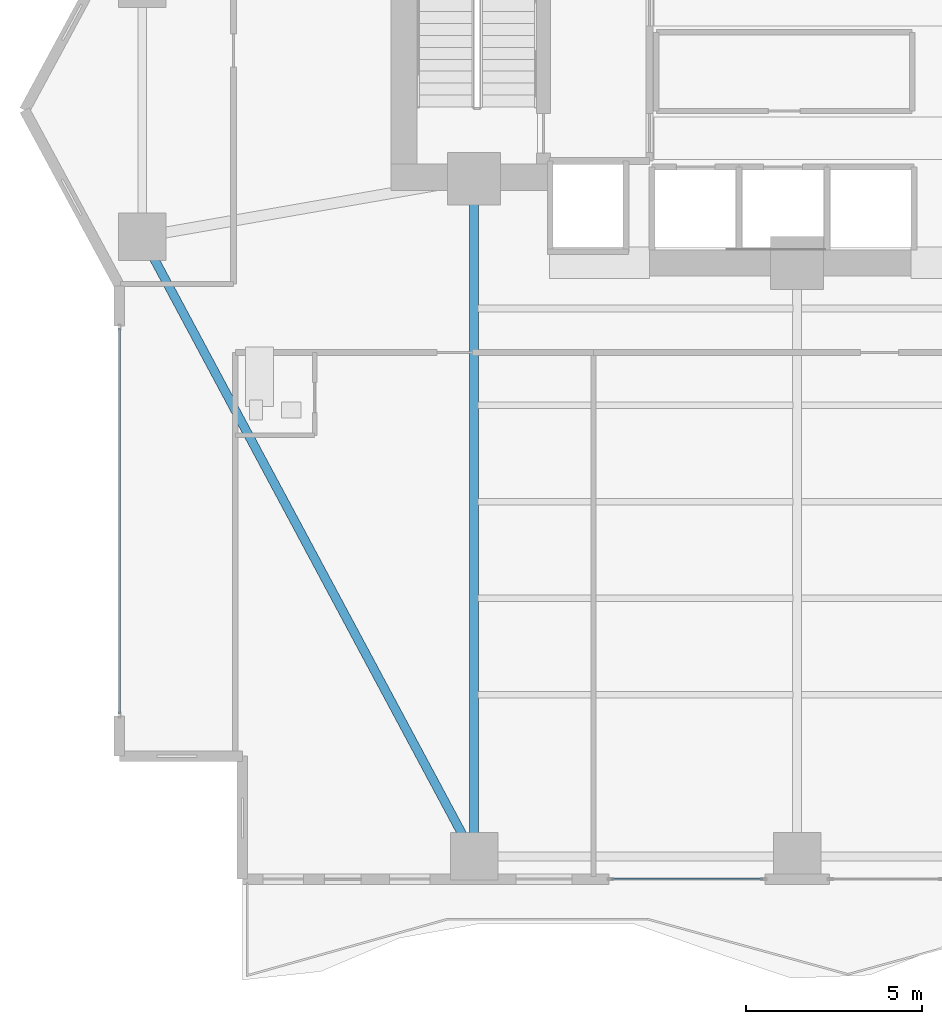
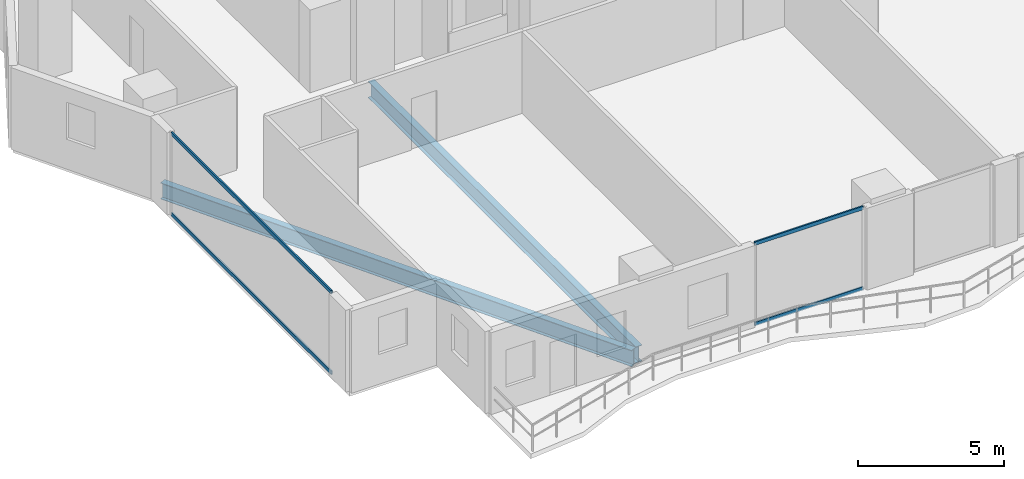
# One storey, part 3 of 30: 4 members, 2 beams, 2 elements without a shape of their own.
"""IFC4 building model written with IfcOpenShell, lengths in metres."""

from ifc_helpers import new_model, si_unit, direction, frame, origin, origin_2d, place, context, subcontext, project, spatial, hollow_rectangle, i_section, extrude, material, layer, layer_set, material_profile, profile_set, type_object, element, aggregate, save


model = new_model("IFC4")

# Units and contexts
model_context = context("Model", 3, precision=1e-05, world=origin(), true_north=direction((0.0, 1.0)))
body_context = subcontext(model_context, "Body", "Model", "MODEL_VIEW")
ifc_project = project(units=[si_unit("LENGTHUNIT", "METRE"), si_unit("AREAUNIT", "SQUARE_METRE"), si_unit("VOLUMEUNIT", "CUBIC_METRE"), si_unit("PLANEANGLEUNIT", "RADIAN"), si_unit("MASSUNIT", "GRAM", prefix="KILO")], contexts=[model_context])

# Site, building, storey
site_placement = place(None, origin())
site = spatial("IfcSite", under=ifc_project, at=site_placement, CompositionType="ELEMENT")
building_placement = place(site_placement, origin())
building = spatial("IfcBuilding", under=site, at=building_placement, Name="Zuhayl Quay Hotel", CompositionType="ELEMENT")
storey_placement = place(building_placement, frame((0.0, 0.0, 135.800048828125)))
storey = spatial("IfcBuildingStorey", under=building, at=storey_placement, Name="L34", CompositionType="ELEMENT", Elevation=135.800048828125)

# Beams
ifc_material_1 = material(Name="Steel ASTM A992 Grade 50", Category="steel")
ifc_material_profile_1 = material_profile(ifc_material_1, i_section(OverallWidth=0.25390625, OverallDepth=0.68310546875, WebThickness=0.012451171875, FlangeThickness=0.018798828125, at=origin_2d()), Name="W27X94")
ifc_profile_set_1 = profile_set([ifc_material_profile_1], Name="Steel ASTM A992 Grade 50")
beam_type = type_object("IfcBeamType", Name="BM_B2_W27X94", PredefinedType="BEAM", material=ifc_profile_set_1)
beam_1_placement = place(storey_placement, frame((-23.013916015625, 2.459228515625, -0.5615234375), z_axis=(0.472017301959, -0.88158928456, 0.0), x_axis=(0.88158928456, 0.472017301959, 0.0)))
element("IfcBeam", 1, at=beam_1_placement, inside=storey, type_object=beam_type, Name="L34 Floor Beam RG_L34_12", PredefinedType="BEAM", context=body_context, shape_type="SweptSolid", body=[
    extrude(i_section(OverallWidth=0.25390625, OverallDepth=0.68310546875, WebThickness=0.012451171875, FlangeThickness=0.018798828125, at=origin_2d()), origin(), (0.0, 0.0, 1.0), 19.0205078125),
])
beam_2_placement = place(storey_placement, frame((-13.800048828125, -14.25, -0.5615234375), z_axis=(0.0, 1.0, 0.0), x_axis=(-1.0, 0.0, 0.0)))
element("IfcBeam", 2, at=beam_2_placement, inside=storey, type_object=beam_type, Name="L34 Floor Beam FG_S_L34_1", PredefinedType="BEAM", context=body_context, shape_type="SweptSolid", body=[
    extrude(i_section(OverallWidth=0.25390625, OverallDepth=0.68310546875, WebThickness=0.012451171875, FlangeThickness=0.018798828125, at=origin_2d()), origin(), (0.0, 0.0, 1.0), 18.35009765625),
])

# Curtain wall, members
ifc_material_2 = material(Name="Anodised Aluminium 6063-T6", Category="aluminium")
ifc_layer = layer(ifc_material_2, 0.179931640625, Name="Anodised Aluminium 6063-T6", Category="aluminium")
ifc_layer_set = layer_set([ifc_layer], Name="Anodised Aluminium 6063-T6")
curtain_wall_type = type_object("IfcCurtainWallType", Name="CW_SYS_Z2", PredefinedType="USERDEFINED", material=ifc_layer_set)
curtain_wall_1_placement = place(storey_placement, origin())
curtain_wall_1 = element("IfcCurtainWall", 3, at=curtain_wall_1_placement, inside=storey, type_object=curtain_wall_type, Name="L34 Curtain Wall ENV_L34_E02_CW1", ObjectType="UNITISED CURTAIN WALL", PredefinedType="USERDEFINED")
ifc_material_3 = material(Name="Black-anodised aluminium 6063-T6", Category="aluminium")
ifc_material_profile_2 = material_profile(ifc_material_3, hollow_rectangle(XDim=0.06005859375, YDim=0.14990234375, WallThickness=0.00341796875, at=origin_2d()), Name="ALU150X60")
ifc_profile_set_2 = profile_set([ifc_material_profile_2], Name="Black-anodised aluminium 6063-T6")
member_type = type_object("IfcMemberType", Name="MB_CW_TRN_150", PredefinedType="USERDEFINED", material=ifc_profile_set_2)
member_1_placement = place(storey_placement, frame((-23.89990234375, -10.68505859375, 0.030029296875), z_axis=(0.0, 1.0, 0.0), x_axis=(-1.0, 0.0, 0.0)))
member_1 = element("IfcMember", 4, at=member_1_placement, type_object=member_type, Name="CW-Z2 transom 1.1", ObjectType="TRANSOM", PredefinedType="USERDEFINED", context=body_context, shape_type="SweptSolid", body=[
    extrude(hollow_rectangle(XDim=0.06005859375, YDim=0.14990234375, WallThickness=0.00341796875, at=origin_2d()), origin(), (0.0, 0.0, 1.0), 10.969970703125),
])
member_2_placement = place(storey_placement, frame((-23.89990234375, -10.68505859375, 3.39990234375), z_axis=(0.0, 1.0, 0.0), x_axis=(-1.0, 0.0, 0.0)))
member_2 = element("IfcMember", 5, at=member_2_placement, type_object=member_type, Name="CW-Z2 transom 1.2", ObjectType="TRANSOM", PredefinedType="USERDEFINED", context=body_context, shape_type="SweptSolid", body=[
    extrude(hollow_rectangle(XDim=0.06005859375, YDim=0.14990234375, WallThickness=0.00341796875, at=origin_2d()), origin(), (0.0, 0.0, 1.0), 10.969970703125),
])
aggregate(curtain_wall_1, [member_1, member_2])

curtain_wall_2_placement = place(storey_placement, origin())
curtain_wall_2 = element("IfcCurtainWall", 6, at=curtain_wall_2_placement, inside=storey, type_object=curtain_wall_type, Name="L34 Curtain Wall ENV_L34_S_CW5", ObjectType="UNITISED CURTAIN WALL", PredefinedType="USERDEFINED")
member_3_placement = place(storey_placement, frame((-5.5849609375, -15.39990234375, 0.030029296875), z_axis=(-1.0, 0.0, 0.0), x_axis=(0.0, -1.0, 0.0)))
member_3 = element("IfcMember", 7, at=member_3_placement, type_object=member_type, Name="CW-Z2 transom 1.1", ObjectType="TRANSOM", PredefinedType="USERDEFINED", context=body_context, shape_type="SweptSolid", body=[
    extrude(hollow_rectangle(XDim=0.06005859375, YDim=0.14990234375, WallThickness=0.00341796875, at=origin_2d()), origin(), (0.0, 0.0, 1.0), 4.300048828125),
])
member_4_placement = place(storey_placement, frame((-5.5849609375, -15.39990234375, 3.39990234375), z_axis=(-1.0, 0.0, 0.0), x_axis=(0.0, -1.0, 0.0)))
member_4 = element("IfcMember", 8, at=member_4_placement, type_object=member_type, Name="CW-Z2 transom 1.2", ObjectType="TRANSOM", PredefinedType="USERDEFINED", context=body_context, shape_type="SweptSolid", body=[
    extrude(hollow_rectangle(XDim=0.06005859375, YDim=0.14990234375, WallThickness=0.00341796875, at=origin_2d()), origin(), (0.0, 0.0, 1.0), 4.300048828125),
])
aggregate(curtain_wall_2, [member_3, member_4])

save(model, "model.ifc")
